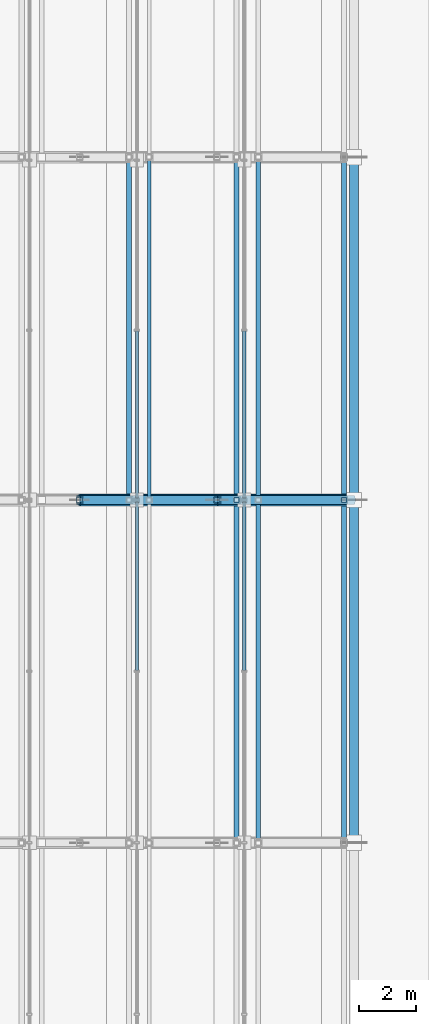
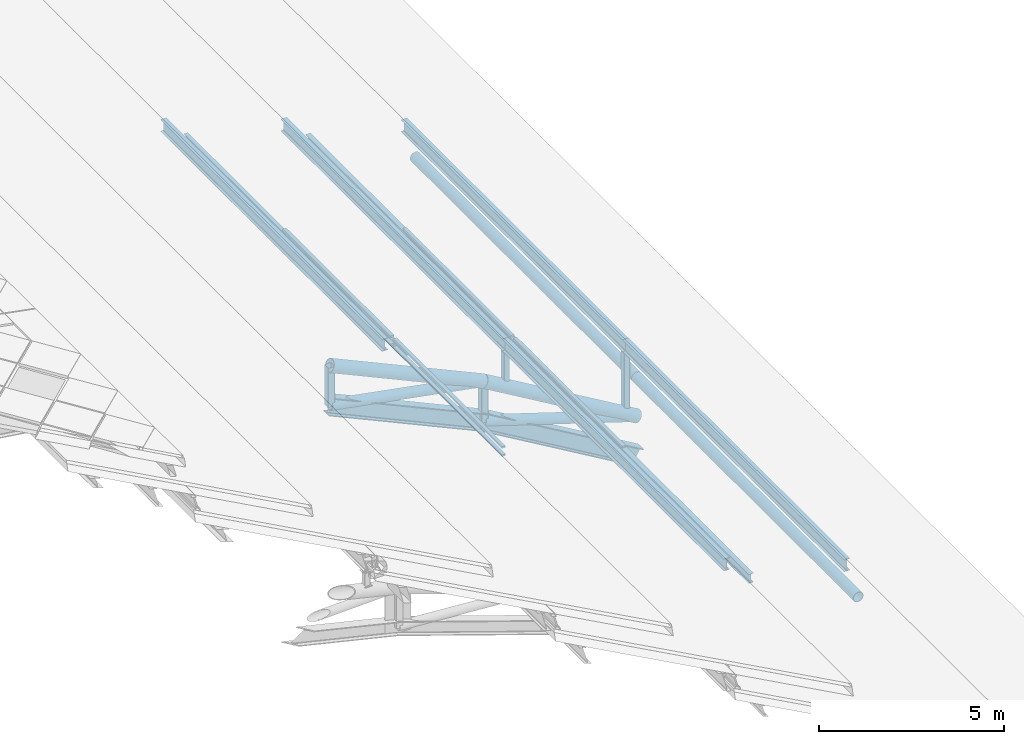
# One storey, part 30 of 117: 26 members, 2 beams, 4 elements without a shape of their own.
"""IFC4 building model written with IfcOpenShell, lengths in metres."""

from ifc_helpers import new_model, si_unit, direction, frame, origin, origin_2d, place, context, subcontext, project, spatial, hollow_rectangle, hollow_circle, i_section, extrude, material, material_profile, profile_set, type_object, element, aggregate, save


model = new_model("IFC4")

# Units and contexts
model_context = context("Model", 3, precision=1e-05, world=origin(), true_north=direction((0.0, 1.0)))
body_context = subcontext(model_context, "Body", "Model", "MODEL_VIEW")
ifc_project = project(units=[si_unit("LENGTHUNIT", "METRE"), si_unit("AREAUNIT", "SQUARE_METRE"), si_unit("VOLUMEUNIT", "CUBIC_METRE"), si_unit("PLANEANGLEUNIT", "RADIAN"), si_unit("MASSUNIT", "GRAM", prefix="KILO")], contexts=[model_context])

# Site, building, storey
site_placement = place(None, origin())
site = spatial("IfcSite", under=ifc_project, at=site_placement, CompositionType="ELEMENT")
building_placement = place(site_placement, origin())
building = spatial("IfcBuilding", under=site, at=building_placement, Name="Merenkruunu Market Hall", CompositionType="ELEMENT")
storey_placement = place(building_placement, frame((0.0, 0.0, 22.800048828125)))
storey = spatial("IfcBuildingStorey", under=building, at=storey_placement, Name="RF", CompositionType="ELEMENT", Elevation=22.800048828125)

# Members
ifc_material_1 = material(Name="Steel S355ML", Category="steel")
ifc_material_profile_1 = material_profile(ifc_material_1, hollow_circle(Radius=0.203125, WallThickness=0.01611328125, at=origin_2d()), Name="CHS 406.4x16")
ifc_profile_set_1 = profile_set([ifc_material_profile_1], Name="Steel S355ML")
member_type_1 = type_object("IfcMemberType", Name="Arch Truss Chord TC02", PredefinedType="CHORD", material=ifc_profile_set_1)
member_1_placement = place(storey_placement, frame((48.0, 87.60009765625, -5.12109375), z_axis=(0.909419998666, 0.0, -0.415878907889), x_axis=(0.0, 1.0, 0.0)))
element("IfcMember", 1, at=member_1_placement, inside=storey, type_object=member_type_1, Name="TRUSS-AT-7-TOP-11", PredefinedType="CHORD", context=body_context, shape_type="SweptSolid", body=[
    extrude(hollow_circle(Radius=0.203125, WallThickness=0.01611328125, at=origin_2d()), origin(), (0.0, 0.0, 1.0), 5.278076171875),
])
member_2_placement = place(storey_placement, frame((52.800048828125, 87.60009765625, -7.316162109375), z_axis=(0.861115679414, 0.0, -0.508409074139), x_axis=(0.0, 1.0, 0.0)))
element("IfcMember", 2, at=member_2_placement, inside=storey, type_object=member_type_1, Name="TRUSS-AT-7-TOP-12", PredefinedType="CHORD", context=body_context, shape_type="SweptSolid", body=[
    extrude(hollow_circle(Radius=0.203125, WallThickness=0.01611328125, at=origin_2d()), origin(), (0.0, 0.0, 1.0), 5.57421875),
])
ifc_material_profile_2 = material_profile(ifc_material_1, i_section(OverallWidth=0.300048828125, OverallDepth=0.550048828125, WebThickness=0.014892578125, FlangeThickness=0.029052734375, FilletRadius=0.027099609375, at=origin_2d()), Name="HEB 550")
ifc_profile_set_2 = profile_set([ifc_material_profile_2], Name="Steel S355ML")
member_type_2 = type_object("IfcMemberType", Name="Arch Truss Chord TC03", PredefinedType="CHORD", material=ifc_profile_set_2)
member_3_placement = place(storey_placement, frame((48.0, 87.60009765625, -6.421142578125), z_axis=(0.909437492245, 0.0, -0.415840651812), x_axis=(0.0, 1.0, 0.0)))
element("IfcMember", 3, at=member_3_placement, inside=storey, type_object=member_type_2, Name="TRUSS-AT-7-BOT-11", PredefinedType="CHORD", context=body_context, shape_type="SweptSolid", body=[
    extrude(i_section(OverallWidth=0.300048828125, OverallDepth=0.550048828125, WebThickness=0.014892578125, FlangeThickness=0.029052734375, FilletRadius=0.027099609375, at=origin_2d()), origin(), (0.0, 0.0, 1.0), 5.278076171875),
])
member_4_placement = place(storey_placement, frame((52.800048828125, 87.60009765625, -8.615966796875), z_axis=(0.861115679414, 0.0, -0.508409074139), x_axis=(0.0, 1.0, 0.0)))
element("IfcMember", 4, at=member_4_placement, inside=storey, type_object=member_type_2, Name="TRUSS-AT-7-BOT-12", PredefinedType="CHORD", context=body_context, shape_type="SweptSolid", body=[
    extrude(i_section(OverallWidth=0.300048828125, OverallDepth=0.550048828125, WebThickness=0.014892578125, FlangeThickness=0.029052734375, FilletRadius=0.027099609375, at=origin_2d()), origin(), (0.0, 0.0, 1.0), 5.57421875),
])

# Curtain wall, members
ifc_material_2 = material(Name="Powder-coated aluminium", Category="aluminium")
curtain_wall_type = type_object("IfcCurtainWallType", Name="Clerestory Curtain Band CL05", PredefinedType="USERDEFINED", material=ifc_material_2)
curtain_wall_1_placement = place(storey_placement, origin())
curtain_wall_1 = element("IfcCurtainWall", 5, at=curtain_wall_1_placement, inside=storey, type_object=curtain_wall_type, Name="CW-RF-CWM04-086", ObjectType="CLERESTORY_BAND", PredefinedType="USERDEFINED")
ifc_material_profile_3 = material_profile(ifc_material_2, hollow_rectangle(XDim=0.06005859375, YDim=0.110107421875, WallThickness=0.00390625, at=origin_2d()), Name="ALU 60x110x4")
ifc_profile_set_3 = profile_set([ifc_material_profile_3], Name="Powder-coated aluminium")
member_type_3 = type_object("IfcMemberType", Name="Curtain Wall Transom CWT03", PredefinedType="USERDEFINED", material=ifc_profile_set_3)
member_5_placement = place(storey_placement, frame((53.760009765625, 87.530029296875, -6.491943359375), z_axis=(0.0, -1.0, 0.0), x_axis=(0.0, 0.0, 1.0)))
member_5 = element("IfcMember", 6, at=member_5_placement, type_object=member_type_3, Name="CL05 transom 1.1", ObjectType="TRANSOM", PredefinedType="USERDEFINED", context=body_context, shape_type="SweptSolid", body=[
    extrude(hollow_rectangle(XDim=0.06005859375, YDim=0.110107421875, WallThickness=0.00390625, at=origin_2d()), origin(), (0.0, 0.0, 1.0), 5.89501953125),
])
member_6_placement = place(storey_placement, frame((53.760009765625, 87.530029296875, -6.2041015625), z_axis=(0.0, -1.0, 0.0), x_axis=(0.0, 0.0, 1.0)))
member_6 = element("IfcMember", 7, at=member_6_placement, type_object=member_type_3, Name="CL05 transom 1.2", ObjectType="TRANSOM", PredefinedType="USERDEFINED", context=body_context, shape_type="SweptSolid", body=[
    extrude(hollow_rectangle(XDim=0.06005859375, YDim=0.110107421875, WallThickness=0.00390625, at=origin_2d()), origin(), (0.0, 0.0, 1.0), 5.89501953125),
])
aggregate(curtain_wall_1, [member_5, member_6])

curtain_wall_2_placement = place(storey_placement, origin())
curtain_wall_2 = element("IfcCurtainWall", 8, at=curtain_wall_2_placement, inside=storey, type_object=curtain_wall_type, Name="CW-RF-CWM04-088", ObjectType="CLERESTORY_BAND", PredefinedType="USERDEFINED")
member_7_placement = place(storey_placement, frame((53.760009765625, 93.514892578125, -6.491943359375), z_axis=(0.0, -1.0, 0.0), x_axis=(0.0, 0.0, 1.0)))
member_7 = element("IfcMember", 9, at=member_7_placement, type_object=member_type_3, Name="CL05 transom 4.1", ObjectType="TRANSOM", PredefinedType="USERDEFINED", context=body_context, shape_type="SweptSolid", body=[
    extrude(hollow_rectangle(XDim=0.06005859375, YDim=0.110107421875, WallThickness=0.00390625, at=origin_2d()), origin(), (0.0, 0.0, 1.0), 5.844970703125),
])
member_8_placement = place(storey_placement, frame((53.760009765625, 93.514892578125, -6.2041015625), z_axis=(0.0, -1.0, 0.0), x_axis=(0.0, 0.0, 1.0)))
member_8 = element("IfcMember", 10, at=member_8_placement, type_object=member_type_3, Name="CL05 transom 4.2", ObjectType="TRANSOM", PredefinedType="USERDEFINED", context=body_context, shape_type="SweptSolid", body=[
    extrude(hollow_rectangle(XDim=0.06005859375, YDim=0.110107421875, WallThickness=0.00390625, at=origin_2d()), origin(), (0.0, 0.0, 1.0), 5.844970703125),
])
aggregate(curtain_wall_2, [member_7, member_8])

curtain_wall_3_placement = place(storey_placement, origin())
curtain_wall_3 = element("IfcCurtainWall", 11, at=curtain_wall_3_placement, inside=storey, type_object=curtain_wall_type, Name="CW-RF-CWM04-094", ObjectType="CLERESTORY_BAND", PredefinedType="USERDEFINED")
member_9_placement = place(storey_placement, frame((50.0, 87.530029296875, -5.172119140625), z_axis=(0.0, -1.0, 0.0), x_axis=(0.0, 0.0, 1.0)))
member_9 = element("IfcMember", 12, at=member_9_placement, type_object=member_type_3, Name="CL05 transom 1.1", ObjectType="TRANSOM", PredefinedType="USERDEFINED", context=body_context, shape_type="SweptSolid", body=[
    extrude(hollow_rectangle(XDim=0.06005859375, YDim=0.110107421875, WallThickness=0.00390625, at=origin_2d()), origin(), (0.0, 0.0, 1.0), 5.89501953125),
])
member_10_placement = place(storey_placement, frame((50.0, 87.530029296875, -4.905029296875), z_axis=(0.0, -1.0, 0.0), x_axis=(0.0, 0.0, 1.0)))
member_10 = element("IfcMember", 13, at=member_10_placement, type_object=member_type_3, Name="CL05 transom 1.2", ObjectType="TRANSOM", PredefinedType="USERDEFINED", context=body_context, shape_type="SweptSolid", body=[
    extrude(hollow_rectangle(XDim=0.06005859375, YDim=0.110107421875, WallThickness=0.00390625, at=origin_2d()), origin(), (0.0, 0.0, 1.0), 5.89501953125),
])
aggregate(curtain_wall_3, [member_9, member_10])

curtain_wall_4_placement = place(storey_placement, origin())
curtain_wall_4 = element("IfcCurtainWall", 14, at=curtain_wall_4_placement, inside=storey, type_object=curtain_wall_type, Name="CW-RF-CWM04-096", ObjectType="CLERESTORY_BAND", PredefinedType="USERDEFINED")
member_11_placement = place(storey_placement, frame((50.0, 93.514892578125, -5.172119140625), z_axis=(0.0, -1.0, 0.0), x_axis=(0.0, 0.0, 1.0)))
member_11 = element("IfcMember", 15, at=member_11_placement, type_object=member_type_3, Name="CL05 transom 4.1", ObjectType="TRANSOM", PredefinedType="USERDEFINED", context=body_context, shape_type="SweptSolid", body=[
    extrude(hollow_rectangle(XDim=0.06005859375, YDim=0.110107421875, WallThickness=0.00390625, at=origin_2d()), origin(), (0.0, 0.0, 1.0), 5.844970703125),
])
member_12_placement = place(storey_placement, frame((50.0, 93.514892578125, -4.905029296875), z_axis=(0.0, -1.0, 0.0), x_axis=(0.0, 0.0, 1.0)))
member_12 = element("IfcMember", 16, at=member_12_placement, type_object=member_type_3, Name="CL05 transom 4.2", ObjectType="TRANSOM", PredefinedType="USERDEFINED", context=body_context, shape_type="SweptSolid", body=[
    extrude(hollow_rectangle(XDim=0.06005859375, YDim=0.110107421875, WallThickness=0.00390625, at=origin_2d()), origin(), (0.0, 0.0, 1.0), 5.844970703125),
])
aggregate(curtain_wall_4, [member_11, member_12])

# Members
ifc_material_profile_4 = material_profile(ifc_material_1, hollow_circle(Radius=0.161865234375, WallThickness=0.01611328125, at=origin_2d()), Name="CHS 323.9x16")
ifc_profile_set_4 = profile_set([ifc_material_profile_4], Name="Steel S355ML")
member_type_4 = type_object("IfcMemberType", Name="Diagonal Sway Brace BR01", PredefinedType="BRACE", material=ifc_profile_set_4)
member_13_placement = place(storey_placement, frame((48.0, 87.60009765625, -6.421142578125), z_axis=(0.983056786802, 0.0, -0.18330126547), x_axis=(0.0, 1.0, 0.0)))
element("IfcMember", 17, at=member_13_placement, inside=storey, type_object=member_type_4, Name="TRUSS-AT-7-DIAG-11", PredefinedType="BRACE", context=body_context, shape_type="SweptSolid", body=[
    extrude(hollow_circle(Radius=0.161865234375, WallThickness=0.01611328125, at=origin_2d()), origin(), (0.0, 0.0, 1.0), 4.8828125),
])
member_14_placement = place(storey_placement, frame((52.800048828125, 87.60009765625, -8.615966796875), z_axis=(0.95252984503, 0.0, -0.304445223853), x_axis=(0.0, 1.0, 0.0)))
element("IfcMember", 18, at=member_14_placement, inside=storey, type_object=member_type_4, Name="TRUSS-AT-7-DIAG-12", PredefinedType="BRACE", context=body_context, shape_type="SweptSolid", body=[
    extrude(hollow_circle(Radius=0.161865234375, WallThickness=0.01611328125, at=origin_2d()), origin(), (0.0, 0.0, 1.0), 5.039306640625),
])
ifc_material_3 = material(Name="Steel S355J2", Category="steel")
ifc_material_profile_5 = material_profile(ifc_material_3, hollow_rectangle(XDim=0.219970703125, YDim=0.219970703125, WallThickness=0.012451171875, InnerFilletRadius=0.012451171875, OuterFilletRadius=0.02490234375, at=origin_2d()), Name="SHS 220x220x12.5")
ifc_profile_set_5 = profile_set([ifc_material_profile_5], Name="Steel S355J2")
member_type_5 = type_object("IfcMemberType", Name="Diagonal Sway Brace BR04", PredefinedType="BRACE", material=ifc_profile_set_5)
member_15_placement = place(storey_placement, frame((48.0, 87.60009765625, -6.421142578125), z_axis=(0.0, 0.0, 1.0), x_axis=(1.0, 0.0, 0.0)))
element("IfcMember", 19, at=member_15_placement, inside=storey, type_object=member_type_5, Name="TRUSS-AT-7-POST-10", PredefinedType="BRACE", context=body_context, shape_type="SweptSolid", body=[
    extrude(hollow_rectangle(XDim=0.219970703125, YDim=0.219970703125, WallThickness=0.012451171875, InnerFilletRadius=0.012451171875, OuterFilletRadius=0.02490234375, at=origin_2d()), origin(), (0.0, 0.0, 1.0), 1.300048828125),
])
member_16_placement = place(storey_placement, frame((52.800048828125, 87.60009765625, -8.615966796875), z_axis=(0.0, 0.0, 1.0), x_axis=(1.0, 0.0, 0.0)))
element("IfcMember", 20, at=member_16_placement, inside=storey, type_object=member_type_5, Name="TRUSS-AT-7-POST-11", PredefinedType="BRACE", context=body_context, shape_type="SweptSolid", body=[
    extrude(hollow_rectangle(XDim=0.219970703125, YDim=0.219970703125, WallThickness=0.012451171875, InnerFilletRadius=0.012451171875, OuterFilletRadius=0.02490234375, at=origin_2d()), origin(), (0.0, 0.0, 1.0), 1.2998046875),
])
ifc_material_profile_6 = material_profile(ifc_material_3, hollow_rectangle(XDim=0.179931640625, YDim=0.179931640625, WallThickness=0.010009765625, InnerFilletRadius=0.010009765625, OuterFilletRadius=0.02001953125, at=origin_2d()), Name="SHS 180x180x10")
ifc_profile_set_6 = profile_set([ifc_material_profile_6], Name="Steel S355J2")
member_type_6 = type_object("IfcMemberType", Name="Diagonal Sway Brace BR05", PredefinedType="BRACE", material=ifc_profile_set_6)
member_17_placement = place(storey_placement, frame((57.25, 87.60009765625, -9.751953125), z_axis=(0.0, 0.0, 1.0), x_axis=(1.0, 0.0, 0.0)))
element("IfcMember", 21, at=member_17_placement, inside=storey, type_object=member_type_6, Name="TRUSS-AT-7-RISER-E1-1", PredefinedType="BRACE", context=body_context, shape_type="SweptSolid", body=[
    extrude(hollow_rectangle(XDim=0.179931640625, YDim=0.179931640625, WallThickness=0.010009765625, InnerFilletRadius=0.010009765625, OuterFilletRadius=0.02001953125, at=origin_2d()), origin(), (0.0, 0.0, 1.0), 1.853515625),
])
member_18_placement = place(storey_placement, frame((53.489990234375, 87.60009765625, -7.53173828125), z_axis=(0.0, 0.0, 1.0), x_axis=(1.0, 0.0, 0.0)))
element("IfcMember", 22, at=member_18_placement, inside=storey, type_object=member_type_6, Name="TRUSS-AT-7-RISER-E2-1", PredefinedType="BRACE", context=body_context, shape_type="SweptSolid", body=[
    extrude(hollow_rectangle(XDim=0.179931640625, YDim=0.179931640625, WallThickness=0.010009765625, InnerFilletRadius=0.010009765625, OuterFilletRadius=0.02001953125, at=origin_2d()), origin(), (0.0, 0.0, 1.0), 0.9736328125),
])

# Beams
ifc_material_profile_7 = material_profile(ifc_material_1, hollow_circle(Radius=0.161865234375, WallThickness=0.01611328125, at=origin_2d()), Name="CHS 323.9x16")
ifc_profile_set_7 = profile_set([ifc_material_profile_7], Name="Steel S355ML")
beam_type = type_object("IfcBeamType", Name="Perimeter Spandrel Beam SP05", PredefinedType="SPANDREL", material=ifc_profile_set_7)
for number, where, z_axis, x_axis, name in (
    (23, (57.60009765625, 75.60009765625, -8.862060546875), (0.0, 1.0, 0.0), (-1.0, 0.0, 0.0), "BM-RF-SP05-1285"),
    (24, (57.60009765625, 87.60009765625, -8.862060546875), (0.0, 1.0, 0.0), (-1.0, 0.0, 0.0), "BM-RF-SP05-1289"),
):
    element("IfcBeam", number, at=place(storey_placement, frame(where, z_axis=z_axis, x_axis=x_axis)), inside=storey, type_object=beam_type, Name=name, PredefinedType="SPANDREL", context=body_context, shape_type="SweptSolid", body=[
        extrude(hollow_circle(Radius=0.161865234375, WallThickness=0.01611328125, at=origin_2d()), origin(), (0.0, 0.0, 1.0), 12.0),
    ])

# Members
ifc_material_profile_8 = material_profile(ifc_material_1, i_section(OverallWidth=0.14990234375, OverallDepth=0.300048828125, WebThickness=0.007080078125, FlangeThickness=0.0107421875, FilletRadius=0.014892578125, at=origin_2d()), Name="IPE 300")
ifc_profile_set_8 = profile_set([ifc_material_profile_8], Name="Steel S355ML")
member_type_7 = type_object("IfcMemberType", Name="Roof Purlin Rafter PR01", PredefinedType="PURLIN", material=ifc_profile_set_8)
for number, where, z_axis, x_axis, name in (
    (25, (54.25, 75.60009765625, -7.071533203125), (0.0, 1.0, 0.0), (-1.0, 0.0, 0.0), "MEM-RF-PURL-E-028"),
    (26, (54.25, 87.60009765625, -7.071533203125), (0.0, 1.0, 0.0), (-1.0, 0.0, 0.0), "MEM-RF-PURL-E-030"),
):
    element("IfcMember", number, at=place(storey_placement, frame(where, z_axis=z_axis, x_axis=x_axis)), inside=storey, type_object=member_type_7, Name=name, PredefinedType="PURLIN", context=body_context, shape_type="SweptSolid", body=[
        extrude(i_section(OverallWidth=0.14990234375, OverallDepth=0.300048828125, WebThickness=0.007080078125, FlangeThickness=0.0107421875, FilletRadius=0.014892578125, at=origin_2d()), origin(), (0.0, 0.0, 1.0), 12.0),
    ])
ifc_material_profile_9 = material_profile(ifc_material_1, i_section(OverallWidth=0.1201171875, OverallDepth=0.239990234375, WebThickness=0.006103515625, FlangeThickness=0.009765625, FilletRadius=0.014892578125, at=origin_2d()), Name="IPE 240")
ifc_profile_set_9 = profile_set([ifc_material_profile_9], Name="Steel S355ML")
member_type_8 = type_object("IfcMemberType", Name="Roof Purlin Rafter PR02", PredefinedType="PURLIN", material=ifc_profile_set_9)
member_19_placement = place(storey_placement, frame((50.429931640625, 87.60009765625, -5.687255859375), z_axis=(0.0, 1.0, 0.0), x_axis=(-1.0, 0.0, 0.0)))
element("IfcMember", 27, at=member_19_placement, inside=storey, type_object=member_type_8, Name="MEM-RF-PURL-E-062", PredefinedType="PURLIN", context=body_context, shape_type="SweptSolid", body=[
    extrude(i_section(OverallWidth=0.1201171875, OverallDepth=0.239990234375, WebThickness=0.006103515625, FlangeThickness=0.009765625, FilletRadius=0.014892578125, at=origin_2d()), origin(), (0.0, 0.0, 1.0), 12.0),
])
ifc_material_profile_10 = material_profile(ifc_material_1, i_section(OverallWidth=0.179931640625, OverallDepth=0.39990234375, WebThickness=0.008544921875, FlangeThickness=0.013427734375, FilletRadius=0.02099609375, at=origin_2d()), Name="IPE 400")
ifc_profile_set_10 = profile_set([ifc_material_profile_10], Name="Steel S355ML")
member_type_9 = type_object("IfcMemberType", Name="Roof Purlin Rafter PR09", PredefinedType="PURLIN", material=ifc_profile_set_10)
for number, where, z_axis, x_axis, name in (
    (28, (57.25, 75.60009765625, -7.680419921875), (0.0, 1.0, 0.0), (-1.0, 0.0, 0.0), "MEM-RF-PURL-E-012"),
    (29, (57.25, 87.60009765625, -7.680419921875), (0.0, 1.0, 0.0), (-1.0, 0.0, 0.0), "MEM-RF-PURL-E-014"),
    (30, (53.489990234375, 75.60009765625, -6.340087890625), (0.0, 1.0, 0.0), (-1.0, 0.0, 0.0), "MEM-RF-PURL-E-044"),
    (31, (53.489990234375, 87.60009765625, -6.340087890625), (0.0, 1.0, 0.0), (-1.0, 0.0, 0.0), "MEM-RF-PURL-E-046"),
    (32, (49.72998046875, 87.60009765625, -5.040283203125), (0.0, 1.0, 0.0), (-1.0, 0.0, 0.0), "MEM-RF-PURL-E-078"),
):
    element("IfcMember", number, at=place(storey_placement, frame(where, z_axis=z_axis, x_axis=x_axis)), inside=storey, type_object=member_type_9, Name=name, PredefinedType="PURLIN", context=body_context, shape_type="SweptSolid", body=[
        extrude(i_section(OverallWidth=0.179931640625, OverallDepth=0.39990234375, WebThickness=0.008544921875, FlangeThickness=0.013427734375, FilletRadius=0.02099609375, at=origin_2d()), origin(), (0.0, 0.0, 1.0), 12.0),
    ])

save(model, "model.ifc")
